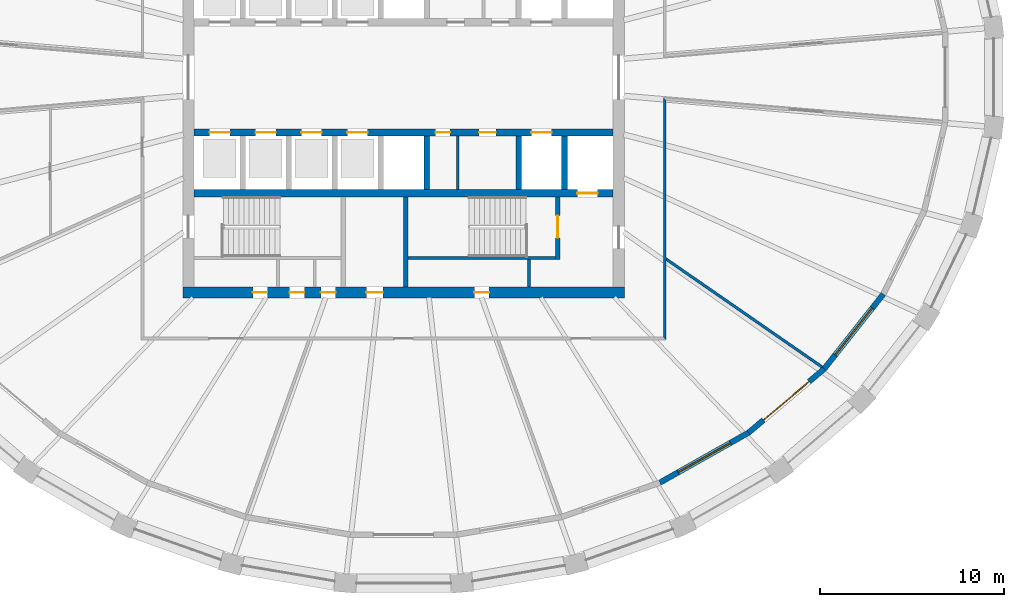
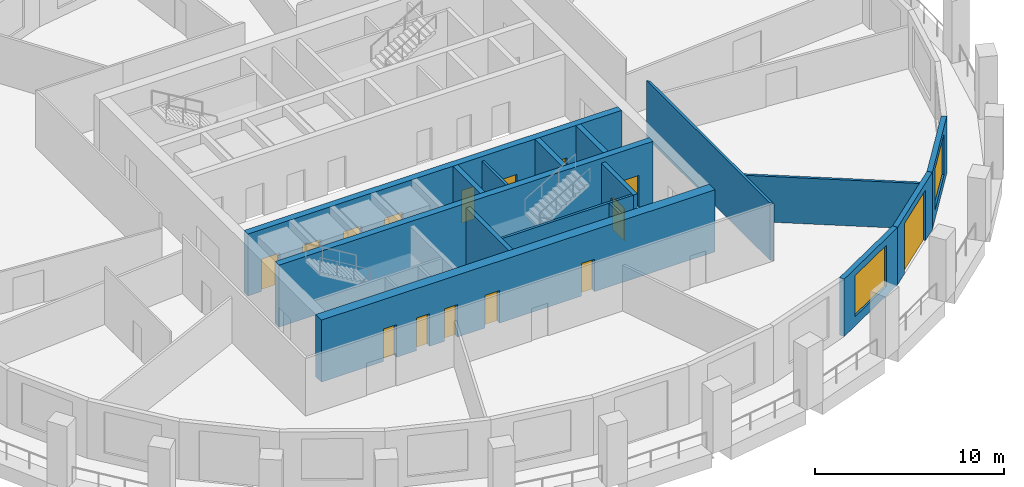
# One storey, part 4 of 10: 16 walls, 15 doors, 2 windows, 17 openings.
"""IFC4 building model written with IfcOpenShell, lengths in metres."""

from ifc_helpers import new_model, si_unit, direction, frame, frame_2d, origin, place, context, subcontext, project, spatial, polyline, rectangle, outline, extrude, material, layer, layer_set, type_object, element, fill, save


model = new_model("IFC4")

# Units and contexts
model_context = context("Model", 3, precision=1e-05, world=origin(), true_north=direction((0.0, 1.0)))
body_context = subcontext(model_context, "Body", "Model", "MODEL_VIEW")
ifc_project = project(units=[si_unit("LENGTHUNIT", "METRE"), si_unit("AREAUNIT", "SQUARE_METRE"), si_unit("VOLUMEUNIT", "CUBIC_METRE"), si_unit("PLANEANGLEUNIT", "RADIAN"), si_unit("MASSUNIT", "GRAM", prefix="KILO")], contexts=[model_context])

# Site, building, storey
site_placement = place(None, origin())
site = spatial("IfcSite", under=ifc_project, at=site_placement, CompositionType="ELEMENT")
building_placement = place(site_placement, origin())
building = spatial("IfcBuilding", under=site, at=building_placement, Name="Halqa Exchange Tower", CompositionType="ELEMENT")
storey_placement = place(building_placement, frame((0.0, 0.0, 202.89990234375)))
storey = spatial("IfcBuildingStorey", under=building, at=storey_placement, Name="L46", CompositionType="ELEMENT", Elevation=202.89990234375)

# Walls
ifc_material_1 = material(Name="Fire-rated gypsum board")
ifc_layer_1 = layer(ifc_material_1, 0.14990234375)
ifc_layer_set_1 = layer_set([ifc_layer_1], Name="Fire-rated gypsum board")
wall_type_1 = type_object("IfcWallType", Name="Fire partition EI 60 150", PredefinedType="PARTITIONING", material=ifc_layer_set_1)
wall_1_placement = place(storey_placement, frame((14.199951171875, -14.27490234375, 0.0), z_axis=(0.0, 0.0, 1.0), x_axis=(0.0, 1.0, 0.0)))
element("IfcWall", 1, at=wall_1_placement, inside=storey, type_object=wall_type_1, Name="L46-PWL-016", PredefinedType="PARTITIONING", context=body_context, shape_type="SweptSolid", body=[
    extrude(outline(polyline([(0.0, -0.074951171875), (1.859130859375, -0.074951171875), (3.71826171875, -0.074951171875), (5.5771484375, -0.074951171875), (7.436279296875, -0.074951171875), (9.29541015625, -0.074951171875), (11.154541015625, -0.074951171875), (13.013427734375, -0.074951171875), (13.176513671875, 0.074951171875), (11.3154296875, 0.074951171875), (9.45458984375, 0.074951171875), (7.593505859375, 0.074951171875), (5.732666015625, 0.074951171875), (3.871826171875, 0.074951171875), (2.0107421875, 0.074951171875), (0.14990234375, 0.074951171875), (0.0, -0.074951171875)])), origin(), (0.0, 0.0, 1.0), 3.7001953125),
])
wall_2_placement = place(storey_placement, frame((14.232421875, -9.8525390625, 0.0), z_axis=(0.0, 0.0, 1.0), x_axis=(0.822298116352, -0.569056946047, 0.0)))
element("IfcWall", 2, at=wall_2_placement, inside=storey, type_object=wall_type_1, Name="L46-PWL-017", PredefinedType="PARTITIONING", context=body_context, shape_type="SweptSolid", body=[
    extrude(outline(polyline([(0.103759765625, -0.074951171875), (1.810791015625, -0.074951171875), (3.517822265625, -0.074951171875), (5.224853515625, -0.074951171875), (6.931884765625, -0.074951171875), (8.638916015625, -0.074951171875), (10.345947265625, -0.074951171875), (10.36572265625, -0.001953125), (10.370361328125, 0.070068359375), (10.370361328125, 0.074951171875), (8.64208984375, 0.074951171875), (6.91357421875, 0.074951171875), (5.18505859375, 0.074951171875), (3.456787109375, 0.074951171875), (1.728515625, 0.074951171875), (0.0, 0.074951171875), (0.0, 0.07470703125), (0.103759765625, -0.074951171875)])), origin(), (0.0, 0.0, 1.0), 2.947021484375),
])
ifc_material_2 = material(Name="Gypsum board")
ifc_layer_2 = layer(ifc_material_2, 0.14990234375)
ifc_layer_set_2 = layer_set([ifc_layer_2], Name="Gypsum board")
wall_type_2 = type_object("IfcWallType", Name="Penthouse riser wall 150 gypsum", PredefinedType="PARTITIONING", material=ifc_layer_set_2)
wall_3_placement = place(storey_placement, frame((6.824951171875, -11.39990234375, 0.0), z_axis=(0.0, 0.0, 1.0), x_axis=(0.0, 1.0, 0.0)))
element("IfcWall", 3, at=wall_3_placement, inside=storey, type_object=wall_type_2, Name="Firefighting lobby west wall S", PredefinedType="PARTITIONING", context=body_context, shape_type="SweptSolid", body=[
    extrude(rectangle(XDim=1.5, YDim=0.14990234375, at=frame_2d((0.75, 0.0))), origin(), (0.0, 0.0, 1.0), 3.7001953125),
])
wall_4_placement = place(storey_placement, frame((2.949951171875, -6.10009765625, 0.0), z_axis=(0.0, 0.0, 1.0), x_axis=(0.0, 1.0, 0.0)))
element("IfcWall", 4, at=wall_4_placement, inside=storey, type_object=wall_type_2, Name="Freed bay partition SE2.950", PredefinedType="PARTITIONING", context=body_context, shape_type="SweptSolid", body=[
    extrude(rectangle(XDim=2.900146484375, YDim=0.14990234375, at=frame_2d((1.4501953125, 0.0))), origin(), (0.0, 0.0, 1.0), 3.7001953125),
])
ifc_material_3 = material(Name="Concrete C60/75", Category="concrete")
ifc_layer_3 = layer(ifc_material_3, 0.300048828125)
ifc_layer_set_3 = layer_set([ifc_layer_3], Name="Concrete C60/75")
wall_type_3 = type_object("IfcWallType", Name="RC core wall 300", PredefinedType="SHEAR", material=ifc_layer_set_3)
for number, where, z_axis, x_axis, name in (
    (5, (1.25, -6.10009765625, 0.0), (0.0, 0.0, 1.0), (0.0, 1.0, 0.0), "Shaft divider S5"),
    (6, (6.25, -6.10009765625, 0.0), (0.0, 0.0, 1.0), (0.0, 1.0, 0.0), "Shaft divider S7"),
    (7, (8.75, -6.10009765625, 0.0), (0.0, 0.0, 1.0), (0.0, 1.0, 0.0), "Shaft divider S8"),
):
    element("IfcWall", number, at=place(storey_placement, frame(where, z_axis=z_axis, x_axis=x_axis)), inside=storey, type_object=wall_type_3, Name=name, PredefinedType="SHEAR", context=body_context, shape_type="SweptSolid", body=[
        extrude(rectangle(XDim=2.900146484375, YDim=0.300048828125, at=frame_2d((1.4501953125, 0.0))), origin(), (0.0, 0.0, 1.0), 4.0),
    ])

# Wall, openings, doors
ifc_material_4 = material(Name="Concrete C70/85", Category="concrete")
ifc_layer_4 = layer(ifc_material_4, 0.39990234375)
ifc_layer_set_4 = layer_set([ifc_layer_4], Name="Concrete C70/85")
wall_type_4 = type_object("IfcWallType", Name="RC core wall 400 C70/85", PredefinedType="SHEAR", material=ifc_layer_set_4)
wall_5_placement = place(storey_placement, frame((-11.39990234375, -3.0, 0.0), z_axis=(0.0, 0.0, 1.0), x_axis=(1.0, 0.0, 0.0)))
wall_5 = element("IfcWall", 8, at=wall_5_placement, inside=storey, type_object=wall_type_4, Name="Lift row front wall S", PredefinedType="SHEAR", context=body_context, shape_type="SweptSolid", body=[
    extrude(rectangle(XDim=22.7998046875, YDim=0.39990234375, at=frame_2d((11.39990234375, 0.0))), origin(), (0.0, 0.0, 1.0), 4.0),
])
opening_1_placement = place(wall_5_placement, frame((0.85009765625, 0.0, 0.0)))
opening_1 = element("IfcOpeningElement", 9, at=opening_1_placement, cuts=wall_5, Name="Opening LD-HR3-T14", PredefinedType="OPENING", context=body_context, shape_type="SweptSolid", body=[
    extrude(rectangle(XDim=1.10009765625, YDim=2.10009765625, at=frame_2d((0.550048828125, 1.050048828125))), frame((0.0, 0.2119140625, 0.0), z_axis=(0.0, -1.0, 0.0), x_axis=(1.0, 0.0, 0.0)), (0.0, 0.0, 1.0), 0.423828125),
])
opening_2_placement = place(wall_5_placement, frame((3.35009765625, 0.0, 0.0)))
opening_2 = element("IfcOpeningElement", 10, at=opening_2_placement, cuts=wall_5, Name="Opening LD-HR4-T14", PredefinedType="OPENING", context=body_context, shape_type="SweptSolid", body=[
    extrude(rectangle(XDim=1.10009765625, YDim=2.10009765625, at=frame_2d((0.550048828125, 1.050048828125))), frame((0.0, 0.2119140625, 0.0), z_axis=(0.0, -1.0, 0.0), x_axis=(1.0, 0.0, 0.0)), (0.0, 0.0, 1.0), 0.423828125),
])
opening_3_placement = place(wall_5_placement, frame((5.85009765625, 0.0, 0.0)))
opening_3 = element("IfcOpeningElement", 11, at=opening_3_placement, cuts=wall_5, Name="Opening LD-MR3-T14", PredefinedType="OPENING", context=body_context, shape_type="SweptSolid", body=[
    extrude(rectangle(XDim=1.10009765625, YDim=2.10009765625, at=frame_2d((0.550048828125, 1.050048828125))), frame((0.0, 0.2119140625, 0.0), z_axis=(0.0, -1.0, 0.0), x_axis=(1.0, 0.0, 0.0)), (0.0, 0.0, 1.0), 0.423828125),
])
opening_4_placement = place(wall_5_placement, frame((8.35009765625, 0.0, 0.0)))
opening_4 = element("IfcOpeningElement", 12, at=opening_4_placement, cuts=wall_5, Name="Opening LD-MR4-T14", PredefinedType="OPENING", context=body_context, shape_type="SweptSolid", body=[
    extrude(rectangle(XDim=1.10009765625, YDim=2.10009765625, at=frame_2d((0.550048828125, 1.050048828125))), frame((0.0, 0.2119140625, 0.0), z_axis=(0.0, -1.0, 0.0), x_axis=(1.0, 0.0, 0.0)), (0.0, 0.0, 1.0), 0.423828125),
])
opening_5_placement = place(wall_5_placement, frame((18.35009765625, 0.0, 0.0)))
opening_5 = element("IfcOpeningElement", 13, at=opening_5_placement, cuts=wall_5, Name="Opening LD-SV2-T14", PredefinedType="OPENING", context=body_context, shape_type="SweptSolid", body=[
    extrude(rectangle(XDim=1.10009765625, YDim=2.10009765625, at=frame_2d((0.550048828125, 1.050048828125))), frame((0.0, 0.2119140625, 0.0), z_axis=(0.0, -1.0, 0.0), x_axis=(1.0, 0.0, 0.0)), (0.0, 0.0, 1.0), 0.423828125),
])
opening_6_placement = place(wall_5_placement, frame((13.137451171875, 0.0, 0.0)))
opening_6 = element("IfcOpeningElement", 14, at=opening_6_placement, cuts=wall_5, Name="Opening T14-C33", PredefinedType="OPENING", context=body_context, shape_type="SweptSolid", body=[
    extrude(rectangle(XDim=0.800048828125, YDim=2.10009765625, at=frame_2d((0.39990234375, 1.050048828125))), frame((0.0, 0.2119140625, 0.0), z_axis=(0.0, -1.0, 0.0), x_axis=(1.0, 0.0, 0.0)), (0.0, 0.0, 1.0), 0.423828125),
])
opening_7_placement = place(wall_5_placement, frame((15.512451171875, 0.0, 0.0)))
opening_7 = element("IfcOpeningElement", 15, at=opening_7_placement, cuts=wall_5, Name="Opening T14-C34", PredefinedType="OPENING", context=body_context, shape_type="SweptSolid", body=[
    extrude(rectangle(XDim=0.89990234375, YDim=2.10009765625, at=frame_2d((0.449951171875, 1.050048828125))), frame((0.0, 0.2119140625, 0.0), z_axis=(0.0, -1.0, 0.0), x_axis=(1.0, 0.0, 0.0)), (0.0, 0.0, 1.0), 0.423828125),
])
ifc_material_5 = material(Name="Timber fire door leaf", Category="wood")
door_type_1 = type_object("IfcDoorType", Name="Core room door FD30 900 x 2100", OperationType="SINGLE_SWING_LEFT", PredefinedType="DOOR", material=ifc_material_5)
door_1_placement = place(opening_7_placement, frame((0.89990234375, 0.0, 0.0), z_axis=(0.0, 0.0, 1.0), x_axis=(-1.0, 0.0, 0.0)))
door_1 = element("IfcDoor", 16, at=door_1_placement, inside=storey, type_object=door_type_1, Name="Core room door", OperationType="SINGLE_SWING_RIGHT", OverallHeight=2.10009765625, OverallWidth=0.89990234375, PredefinedType="DOOR", context=body_context, shape_type="SweptSolid", body=[
    extrude(rectangle(XDim=0.89990234375, YDim=2.10009765625, at=frame_2d((0.449951171875, 1.050048828125))), frame((0.0, 0.02490234375, 0.0), z_axis=(0.0, -1.0, 0.0), x_axis=(1.0, 0.0, 0.0)), (0.0, 0.0, 1.0), 0.050048828125),
])
fill(opening_7, door_1)
ifc_material_6 = material(Name="Stainless steel", Category="steel")
door_type_2 = type_object("IfcDoorType", Name="Lift landing door 1100 x 2100", OperationType="SLIDING_TO_LEFT", PredefinedType="DOOR", material=ifc_material_6)
door_2_placement = place(opening_1_placement, origin())
door_2 = element("IfcDoor", 17, at=door_2_placement, inside=storey, type_object=door_type_2, Name="Lift landing door HR3", OperationType="SLIDING_TO_LEFT", OverallHeight=2.10009765625, OverallWidth=1.10009765625, PredefinedType="DOOR", context=body_context, shape_type="SweptSolid", body=[
    extrude(rectangle(XDim=1.10009765625, YDim=2.10009765625, at=frame_2d((0.550048828125, 1.050048828125))), frame((0.0, 0.02490234375, 0.0), z_axis=(0.0, -1.0, 0.0), x_axis=(1.0, 0.0, 0.0)), (0.0, 0.0, 1.0), 0.050048828125),
])
fill(opening_1, door_2)
door_3_placement = place(opening_2_placement, origin())
door_3 = element("IfcDoor", 18, at=door_3_placement, inside=storey, type_object=door_type_2, Name="Lift landing door HR4", OperationType="SLIDING_TO_LEFT", OverallHeight=2.10009765625, OverallWidth=1.10009765625, PredefinedType="DOOR", context=body_context, shape_type="SweptSolid", body=[
    extrude(rectangle(XDim=1.10009765625, YDim=2.10009765625, at=frame_2d((0.550048828125, 1.050048828125))), frame((0.0, 0.02490234375, 0.0), z_axis=(0.0, -1.0, 0.0), x_axis=(1.0, 0.0, 0.0)), (0.0, 0.0, 1.0), 0.050048828125),
])
fill(opening_2, door_3)
door_4_placement = place(opening_3_placement, origin())
door_4 = element("IfcDoor", 19, at=door_4_placement, inside=storey, type_object=door_type_2, Name="Lift landing door MR3", OperationType="SLIDING_TO_LEFT", OverallHeight=2.10009765625, OverallWidth=1.10009765625, PredefinedType="DOOR", context=body_context, shape_type="SweptSolid", body=[
    extrude(rectangle(XDim=1.10009765625, YDim=2.10009765625, at=frame_2d((0.550048828125, 1.050048828125))), frame((0.0, 0.02490234375, 0.0), z_axis=(0.0, -1.0, 0.0), x_axis=(1.0, 0.0, 0.0)), (0.0, 0.0, 1.0), 0.050048828125),
])
fill(opening_3, door_4)
door_5_placement = place(opening_4_placement, origin())
door_5 = element("IfcDoor", 20, at=door_5_placement, inside=storey, type_object=door_type_2, Name="Lift landing door MR4", OperationType="SLIDING_TO_LEFT", OverallHeight=2.10009765625, OverallWidth=1.10009765625, PredefinedType="DOOR", context=body_context, shape_type="SweptSolid", body=[
    extrude(rectangle(XDim=1.10009765625, YDim=2.10009765625, at=frame_2d((0.550048828125, 1.050048828125))), frame((0.0, 0.02490234375, 0.0), z_axis=(0.0, -1.0, 0.0), x_axis=(1.0, 0.0, 0.0)), (0.0, 0.0, 1.0), 0.050048828125),
])
fill(opening_4, door_5)
door_6_placement = place(opening_5_placement, origin())
door_6 = element("IfcDoor", 21, at=door_6_placement, inside=storey, type_object=door_type_2, Name="Lift landing door SV2", OperationType="SLIDING_TO_LEFT", OverallHeight=2.10009765625, OverallWidth=1.10009765625, PredefinedType="DOOR", context=body_context, shape_type="SweptSolid", body=[
    extrude(rectangle(XDim=1.10009765625, YDim=2.10009765625, at=frame_2d((0.550048828125, 1.050048828125))), frame((0.0, 0.02490234375, 0.0), z_axis=(0.0, -1.0, 0.0), x_axis=(1.0, 0.0, 0.0)), (0.0, 0.0, 1.0), 0.050048828125),
])
fill(opening_5, door_6)
ifc_material_7 = material(Name="Steel fire door leaf", Category="steel")
door_type_3 = type_object("IfcDoorType", Name="Riser door FD60 800 x 2100", OperationType="SINGLE_SWING_LEFT", PredefinedType="DOOR", material=ifc_material_7)
door_7_placement = place(opening_6_placement, frame((0.800048828125, 0.0, 0.0), z_axis=(0.0, 0.0, 1.0), x_axis=(-1.0, 0.0, 0.0)))
door_7 = element("IfcDoor", 22, at=door_7_placement, inside=storey, type_object=door_type_3, Name="Core room door", OperationType="SINGLE_SWING_LEFT", OverallHeight=2.10009765625, OverallWidth=0.800048828125, PredefinedType="DOOR", context=body_context, shape_type="SweptSolid", body=[
    extrude(rectangle(XDim=0.800048828125, YDim=2.10009765625, at=frame_2d((0.39990234375, 1.050048828125))), frame((0.0, 0.02490234375, 0.0), z_axis=(0.0, -1.0, 0.0), x_axis=(1.0, 0.0, 0.0)), (0.0, 0.0, 1.0), 0.050048828125),
])
fill(opening_6, door_7)

# Wall, opening, door
wall_6_placement = place(storey_placement, frame((-11.39990234375, -6.300048828125, 0.0), z_axis=(0.0, 0.0, 1.0), x_axis=(1.0, 0.0, 0.0)))
wall_6 = element("IfcWall", 23, at=wall_6_placement, inside=storey, type_object=wall_type_4, Name="Lift row back wall S", PredefinedType="SHEAR", context=body_context, shape_type="SweptSolid", body=[
    extrude(rectangle(XDim=22.7998046875, YDim=0.39990234375, at=frame_2d((11.39990234375, 0.0))), origin(), (0.0, 0.0, 1.0), 4.0),
])
opening_8_placement = place(wall_6_placement, frame((20.85009765625, 0.0, 0.0)))
opening_8 = element("IfcOpeningElement", 24, at=opening_8_placement, cuts=wall_6, Name="Opening LD-FF2-T14", PredefinedType="OPENING", context=body_context, shape_type="SweptSolid", body=[
    extrude(rectangle(XDim=1.10009765625, YDim=2.10009765625, at=frame_2d((0.550048828125, 1.050048828125))), frame((0.0, 0.2119140625, 0.0), z_axis=(0.0, -1.0, 0.0), x_axis=(1.0, 0.0, 0.0)), (0.0, 0.0, 1.0), 0.423828125),
])
door_8_placement = place(opening_8_placement, origin())
door_8 = element("IfcDoor", 25, at=door_8_placement, inside=storey, type_object=door_type_2, Name="Lift landing door FF2", OperationType="SLIDING_TO_LEFT", OverallHeight=2.10009765625, OverallWidth=1.10009765625, PredefinedType="DOOR", context=body_context, shape_type="SweptSolid", body=[
    extrude(rectangle(XDim=1.10009765625, YDim=2.10009765625, at=frame_2d((0.550048828125, 1.050048828125))), frame((0.0, 0.02490234375, 0.0), z_axis=(0.0, -1.0, 0.0), x_axis=(1.0, 0.0, 0.0)), (0.0, 0.0, 1.0), 0.050048828125),
])
fill(opening_8, door_8)

# Wall, openings, doors
ifc_layer_5 = layer(ifc_material_4, 0.60009765625)
ifc_layer_set_5 = layer_set([ifc_layer_5], Name="Concrete C70/85")
wall_type_5 = type_object("IfcWallType", Name="RC core wall 600 C70/85", PredefinedType="SHEAR", material=ifc_layer_set_5)
wall_7_placement = place(storey_placement, frame((-12.0, -11.699951171875, 0.0), z_axis=(0.0, 0.0, 1.0), x_axis=(1.0, 0.0, 0.0)))
wall_7 = element("IfcWall", 26, at=wall_7_placement, inside=storey, type_object=wall_type_5, Name="Core wall south", PredefinedType="SHEAR", context=body_context, shape_type="SweptSolid", body=[
    extrude(rectangle(XDim=24.0, YDim=0.60009765625, at=frame_2d((12.0, 0.0))), origin(), (0.0, 0.0, 1.0), 4.0),
])
opening_9_placement = place(wall_7_placement, frame((9.97509765625, 0.0, 0.0)))
opening_9 = element("IfcOpeningElement", 27, at=opening_9_placement, cuts=wall_7, Name="Opening T14-C26", PredefinedType="OPENING", context=body_context, shape_type="SweptSolid", body=[
    extrude(rectangle(XDim=0.89990234375, YDim=2.10009765625, at=frame_2d((0.449951171875, 1.050048828125))), frame((0.0, 0.31201171875, 0.0), z_axis=(0.0, -1.0, 0.0), x_axis=(1.0, 0.0, 0.0)), (0.0, 0.0, 1.0), 0.6240234375),
])
opening_10_placement = place(wall_7_placement, frame((3.800048828125, 0.0, 0.0)))
opening_10 = element("IfcOpeningElement", 28, at=opening_10_placement, cuts=wall_7, Name="Opening T14-C27", PredefinedType="OPENING", context=body_context, shape_type="SweptSolid", body=[
    extrude(rectangle(XDim=0.800048828125, YDim=2.10009765625, at=frame_2d((0.39990234375, 1.050048828125))), frame((0.0, 0.31201171875, 0.0), z_axis=(0.0, -1.0, 0.0), x_axis=(1.0, 0.0, 0.0)), (0.0, 0.0, 1.0), 0.6240234375),
])
opening_11_placement = place(wall_7_placement, frame((5.800048828125, 0.0, 0.0)))
opening_11 = element("IfcOpeningElement", 29, at=opening_11_placement, cuts=wall_7, Name="Opening T14-C28", PredefinedType="OPENING", context=body_context, shape_type="SweptSolid", body=[
    extrude(rectangle(XDim=0.800048828125, YDim=2.10009765625, at=frame_2d((0.39990234375, 1.050048828125))), frame((0.0, 0.31201171875, 0.0), z_axis=(0.0, -1.0, 0.0), x_axis=(1.0, 0.0, 0.0)), (0.0, 0.0, 1.0), 0.6240234375),
])
opening_12_placement = place(wall_7_placement, frame((7.5, 0.0, 0.0)))
opening_12 = element("IfcOpeningElement", 30, at=opening_12_placement, cuts=wall_7, Name="Opening T14-C29", PredefinedType="OPENING", context=body_context, shape_type="SweptSolid", body=[
    extrude(rectangle(XDim=0.800048828125, YDim=2.10009765625, at=frame_2d((0.39990234375, 1.050048828125))), frame((0.0, 0.31201171875, 0.0), z_axis=(0.0, -1.0, 0.0), x_axis=(1.0, 0.0, 0.0)), (0.0, 0.0, 1.0), 0.6240234375),
])
opening_13_placement = place(wall_7_placement, frame((15.85009765625, 0.0, 0.0)))
opening_13 = element("IfcOpeningElement", 31, at=opening_13_placement, cuts=wall_7, Name="Opening T14-C30", PredefinedType="OPENING", context=body_context, shape_type="SweptSolid", body=[
    extrude(rectangle(XDim=0.800048828125, YDim=2.10009765625, at=frame_2d((0.39990234375, 1.050048828125))), frame((0.0, 0.31201171875, 0.0), z_axis=(0.0, -1.0, 0.0), x_axis=(1.0, 0.0, 0.0)), (0.0, 0.0, 1.0), 0.6240234375),
])
door_9_placement = place(opening_9_placement, origin())
door_9 = element("IfcDoor", 32, at=door_9_placement, inside=storey, type_object=door_type_1, Name="Core room door", OperationType="SINGLE_SWING_RIGHT", OverallHeight=2.10009765625, OverallWidth=0.89990234375, PredefinedType="DOOR", context=body_context, shape_type="SweptSolid", body=[
    extrude(rectangle(XDim=0.89990234375, YDim=2.10009765625, at=frame_2d((0.449951171875, 1.050048828125))), frame((0.0, 0.02490234375, 0.0), z_axis=(0.0, -1.0, 0.0), x_axis=(1.0, 0.0, 0.0)), (0.0, 0.0, 1.0), 0.050048828125),
])
fill(opening_9, door_9)
door_10_placement = place(opening_10_placement, origin())
door_10 = element("IfcDoor", 33, at=door_10_placement, inside=storey, type_object=door_type_3, Name="Core room door", OperationType="SINGLE_SWING_LEFT", OverallHeight=2.10009765625, OverallWidth=0.800048828125, PredefinedType="DOOR", context=body_context, shape_type="SweptSolid", body=[
    extrude(rectangle(XDim=0.800048828125, YDim=2.10009765625, at=frame_2d((0.39990234375, 1.050048828125))), frame((0.0, 0.02490234375, 0.0), z_axis=(0.0, -1.0, 0.0), x_axis=(1.0, 0.0, 0.0)), (0.0, 0.0, 1.0), 0.050048828125),
])
fill(opening_10, door_10)
door_11_placement = place(opening_11_placement, origin())
door_11 = element("IfcDoor", 34, at=door_11_placement, inside=storey, type_object=door_type_3, Name="Core room door", OperationType="SINGLE_SWING_LEFT", OverallHeight=2.10009765625, OverallWidth=0.800048828125, PredefinedType="DOOR", context=body_context, shape_type="SweptSolid", body=[
    extrude(rectangle(XDim=0.800048828125, YDim=2.10009765625, at=frame_2d((0.39990234375, 1.050048828125))), frame((0.0, 0.02490234375, 0.0), z_axis=(0.0, -1.0, 0.0), x_axis=(1.0, 0.0, 0.0)), (0.0, 0.0, 1.0), 0.050048828125),
])
fill(opening_11, door_11)
door_12_placement = place(opening_12_placement, origin())
door_12 = element("IfcDoor", 35, at=door_12_placement, inside=storey, type_object=door_type_3, Name="Core room door", OperationType="SINGLE_SWING_LEFT", OverallHeight=2.10009765625, OverallWidth=0.800048828125, PredefinedType="DOOR", context=body_context, shape_type="SweptSolid", body=[
    extrude(rectangle(XDim=0.800048828125, YDim=2.10009765625, at=frame_2d((0.39990234375, 1.050048828125))), frame((0.0, 0.02490234375, 0.0), z_axis=(0.0, -1.0, 0.0), x_axis=(1.0, 0.0, 0.0)), (0.0, 0.0, 1.0), 0.050048828125),
])
fill(opening_12, door_12)
door_13_placement = place(opening_13_placement, origin())
door_13 = element("IfcDoor", 36, at=door_13_placement, inside=storey, type_object=door_type_3, Name="Core room door", OperationType="SINGLE_SWING_LEFT", OverallHeight=2.10009765625, OverallWidth=0.800048828125, PredefinedType="DOOR", context=body_context, shape_type="SweptSolid", body=[
    extrude(rectangle(XDim=0.800048828125, YDim=2.10009765625, at=frame_2d((0.39990234375, 1.050048828125))), frame((0.0, 0.02490234375, 0.0), z_axis=(0.0, -1.0, 0.0), x_axis=(1.0, 0.0, 0.0)), (0.0, 0.0, 1.0), 0.050048828125),
])
fill(opening_13, door_13)

# Walls
ifc_material_8 = material(Name="Concrete C30/37", Category="concrete")
ifc_layer_6 = layer(ifc_material_8, 0.14990234375)
ifc_layer_set_6 = layer_set([ifc_layer_6], Name="Concrete C30/37")
wall_type_6 = type_object("IfcWallType", Name="RC stair wall 150 C30/37", PredefinedType="SHEAR", material=ifc_layer_set_6)
wall_8_placement = place(storey_placement, frame((0.25, -9.824951171875, 0.0), z_axis=(0.0, 0.0, 1.0), x_axis=(1.0, 0.0, 0.0)))
element("IfcWall", 37, at=wall_8_placement, inside=storey, type_object=wall_type_6, Name="Stair ST2 north wall S", PredefinedType="SHEAR", context=body_context, shape_type="SweptSolid", body=[
    extrude(rectangle(XDim=8.0, YDim=0.14990234375, at=frame_2d((4.0, 0.0))), origin(), (0.0, 0.0, 1.0), 3.7001953125),
])
ifc_layer_7 = layer(ifc_material_8, 0.25)
ifc_layer_set_7 = layer_set([ifc_layer_7], Name="Concrete C30/37")
wall_type_7 = type_object("IfcWallType", Name="RC stair wall 250 C30/37", PredefinedType="SHEAR", material=ifc_layer_set_7)
wall_9_placement = place(storey_placement, frame((0.125, -11.39990234375, 0.0), z_axis=(0.0, 0.0, 1.0), x_axis=(0.0, 1.0, 0.0)))
element("IfcWall", 38, at=wall_9_placement, inside=storey, type_object=wall_type_7, Name="Stair ST2 west wall S", PredefinedType="SHEAR", context=body_context, shape_type="SweptSolid", body=[
    extrude(rectangle(XDim=4.89990234375, YDim=0.25, at=frame_2d((2.449951171875, 0.0))), origin(), (0.0, 0.0, 1.0), 3.7001953125),
])

# Wall, opening, door
wall_10_placement = place(storey_placement, frame((8.375, -9.89990234375, 0.0), z_axis=(0.0, 0.0, 1.0), x_axis=(0.0, 1.0, 0.0)))
wall_10 = element("IfcWall", 39, at=wall_10_placement, inside=storey, type_object=wall_type_7, Name="Stair ST2 east wall S", PredefinedType="SHEAR", context=body_context, shape_type="SweptSolid", body=[
    extrude(rectangle(XDim=3.39990234375, YDim=0.25, at=frame_2d((1.699951171875, 0.0))), origin(), (0.0, 0.0, 1.0), 3.7001953125),
])
opening_14_placement = place(wall_10_placement, frame((1.175048828125, 0.0, 0.0)))
opening_14 = element("IfcOpeningElement", 40, at=opening_14_placement, cuts=wall_10, Name="Opening T14-C18", PredefinedType="OPENING", context=body_context, shape_type="SweptSolid", body=[
    extrude(rectangle(XDim=1.199951171875, YDim=2.10009765625, at=frame_2d((0.60009765625, 1.050048828125))), frame((0.0, 0.136962890625, 0.0), z_axis=(0.0, -1.0, 0.0), x_axis=(1.0, 0.0, 0.0)), (0.0, 0.0, 1.0), 0.27392578125),
])
door_type_4 = type_object("IfcDoorType", Name="Stair door FD90 1200 x 2100", OperationType="SINGLE_SWING_LEFT", PredefinedType="DOOR", material=ifc_material_7)
door_14_placement = place(opening_14_placement, origin())
door_14 = element("IfcDoor", 41, at=door_14_placement, inside=storey, type_object=door_type_4, Name="Stair door ST4", OperationType="SINGLE_SWING_RIGHT", OverallHeight=2.10009765625, OverallWidth=1.199951171875, PredefinedType="DOOR", context=body_context, shape_type="SweptSolid", body=[
    extrude(rectangle(XDim=1.199951171875, YDim=2.10009765625, at=frame_2d((0.60009765625, 1.050048828125))), frame((0.0, 0.02490234375, 0.0), z_axis=(0.0, -1.0, 0.0), x_axis=(1.0, 0.0, 0.0)), (0.0, 0.0, 1.0), 0.050048828125),
])
fill(opening_14, door_14)

# Wall, opening, window
ifc_material_9 = material(Name="Limestone cladding", Category="masonry")
ifc_layer_8 = layer(ifc_material_9, 0.0400390625)
ifc_material_10 = material(Name="Ventilated cavity")
ifc_layer_9 = layer(ifc_material_10, 0.030029296875, ventilated=True)
ifc_material_11 = material(Name="Mineral wool insulation")
ifc_layer_10 = layer(ifc_material_11, 0.10009765625)
ifc_layer_11 = layer(ifc_material_8, 0.10009765625)
ifc_material_12 = material(Name="Internal plaster")
ifc_layer_12 = layer(ifc_material_12, 0.030029296875)
ifc_layer_set_8 = layer_set([ifc_layer_8, ifc_layer_9, ifc_layer_10, ifc_layer_11, ifc_layer_12], Name="Stone-faced insulated wall 300")
wall_type_8 = type_object("IfcWallType", Name="Stone-faced insulated wall 300", PredefinedType="STANDARD", material=ifc_layer_set_8)
wall_11_placement = place(storey_placement, frame((13.9384765625, -22.03662109375, 0.0), z_axis=(0.0, 0.0, 1.0), x_axis=(0.871140546168, 0.491033755278, 0.0)))
wall_11 = element("IfcWall", 42, at=wall_11_placement, inside=storey, type_object=wall_type_8, Name="Glass-line wall 27", PredefinedType="STANDARD", context=body_context, shape_type="SweptSolid", body=[
    extrude(outline(polyline([(-0.013427734375, -0.14990234375), (5.549560546875, -0.14990234375), (5.521240234375, 0.14990234375), (0.013427734375, 0.14990234375), (-0.013427734375, -0.14990234375)])), origin(), (0.0, 0.0, 1.0), 3.7001953125),
])
opening_15_placement = place(wall_11_placement, frame((1.142578125, 0.0, 0.60009765625)))
opening_15 = element("IfcOpeningElement", 43, at=opening_15_placement, cuts=wall_11, Name="Opening W-F3-27", PredefinedType="OPENING", context=body_context, shape_type="SweptSolid", body=[
    extrude(rectangle(XDim=3.25, YDim=2.64990234375, at=frame_2d((1.625, 1.324951171875))), frame((0.0, 0.162109375, 0.0), z_axis=(0.0, -1.0, 0.0), x_axis=(1.0, 0.0, 0.0)), (0.0, 0.0, 1.0), 0.323974609375),
])
ifc_material_13 = material(Name="Clear low-emissivity glass in aluminium frame", Category="aluminium")
window_type = type_object("IfcWindowType", Name="Fixed clear glazed window 3250 x 2650", PartitioningType="TRIPLE_PANEL_VERTICAL", PredefinedType="WINDOW", material=ifc_material_13)
window_1_placement = place(opening_15_placement, origin())
window_1 = element("IfcWindow", 44, at=window_1_placement, inside=storey, type_object=window_type, Name="Window 3", OverallHeight=2.64990234375, OverallWidth=3.25, PartitioningType="TRIPLE_PANEL_VERTICAL", PredefinedType="WINDOW", context=body_context, shape_type="SweptSolid", body=[
    extrude(rectangle(XDim=3.25, YDim=2.64990234375, at=frame_2d((1.625, 1.324951171875))), frame((0.0, 0.030029296875, 0.0), z_axis=(0.0, -1.0, 0.0), x_axis=(1.0, 0.0, 0.0)), (0.0, 0.0, 1.0), 0.06005859375),
])
fill(opening_15, window_1)

# Wall, opening, door
wall_12_placement = place(storey_placement, frame((18.760498046875, -19.318603515625, 0.0), z_axis=(0.0, 0.0, 1.0), x_axis=(0.764386053229, 0.6447588399, 0.0)))
wall_12 = element("IfcWall", 45, at=wall_12_placement, inside=storey, type_object=wall_type_8, Name="Glass-line wall 28", PredefinedType="STANDARD", context=body_context, shape_type="SweptSolid", body=[
    extrude(outline(polyline([(-0.01416015625, -0.14990234375), (5.382568359375, -0.14990234375), (5.352294921875, 0.14990234375), (0.01416015625, 0.14990234375), (-0.01416015625, -0.14990234375)])), origin(), (0.0, 0.0, 1.0), 3.7001953125),
])
opening_16_placement = place(wall_12_placement, frame((1.058837890625, 0.0, 0.0)))
opening_16 = element("IfcOpeningElement", 46, at=opening_16_placement, cuts=wall_12, Name="Opening LG-F3-07", PredefinedType="OPENING", context=body_context, shape_type="SweptSolid", body=[
    extrude(rectangle(XDim=3.25, YDim=3.25, at=frame_2d((1.625, 1.625))), frame((0.0, 0.162109375, 0.0), z_axis=(0.0, -1.0, 0.0), x_axis=(1.0, 0.0, 0.0)), (0.0, 0.0, 1.0), 0.323974609375),
])
door_type_5 = type_object("IfcDoorType", Name="Glazed sliding loggia door 3250 x 3250", OperationType="DOUBLE_DOOR_SLIDING", PredefinedType="DOOR", material=ifc_material_13)
door_15_placement = place(opening_16_placement, origin())
door_15 = element("IfcDoor", 47, at=door_15_placement, inside=storey, type_object=door_type_5, Name="Loggia door 7", OperationType="DOUBLE_DOOR_SLIDING", OverallHeight=3.25, OverallWidth=3.25, PredefinedType="DOOR", context=body_context, shape_type="SweptSolid", body=[
    extrude(rectangle(XDim=3.25, YDim=3.25, at=frame_2d((1.625, 1.625))), frame((0.0, 0.02490234375, 0.0), z_axis=(0.0, -1.0, 0.0), x_axis=(1.0, 0.0, 0.0)), (0.0, 0.0, 1.0), 0.050048828125),
])
fill(opening_16, door_15)

# Wall, opening, window
wall_13_placement = place(storey_placement, frame((22.86328125, -15.85791015625, 0.0), z_axis=(0.0, 0.0, 1.0), x_axis=(0.620870264345, 0.783913333763, 0.0)))
wall_13 = element("IfcWall", 48, at=wall_13_placement, inside=storey, type_object=wall_type_8, Name="Glass-line wall 29", PredefinedType="STANDARD", context=body_context, shape_type="SweptSolid", body=[
    extrude(outline(polyline([(-0.01513671875, -0.14990234375), (5.210693359375, -0.14990234375), (5.178466796875, 0.14990234375), (0.01513671875, 0.14990234375), (-0.01513671875, -0.14990234375)])), origin(), (0.0, 0.0, 1.0), 3.7001953125),
])
opening_17_placement = place(wall_13_placement, frame((0.97216796875, 0.0, 0.60009765625)))
opening_17 = element("IfcOpeningElement", 49, at=opening_17_placement, cuts=wall_13, Name="Opening W-F3-29", PredefinedType="OPENING", context=body_context, shape_type="SweptSolid", body=[
    extrude(rectangle(XDim=3.25, YDim=2.64990234375, at=frame_2d((1.625, 1.324951171875))), frame((0.0, 0.162109375, 0.0), z_axis=(0.0, -1.0, 0.0), x_axis=(1.0, 0.0, 0.0)), (0.0, 0.0, 1.0), 0.323974609375),
])
window_2_placement = place(opening_17_placement, origin())
window_2 = element("IfcWindow", 50, at=window_2_placement, inside=storey, type_object=window_type, Name="Window 3", OverallHeight=2.64990234375, OverallWidth=3.25, PartitioningType="TRIPLE_PANEL_VERTICAL", PredefinedType="WINDOW", context=body_context, shape_type="SweptSolid", body=[
    extrude(rectangle(XDim=3.25, YDim=2.64990234375, at=frame_2d((1.625, 1.324951171875))), frame((0.0, 0.030029296875, 0.0), z_axis=(0.0, -1.0, 0.0), x_axis=(1.0, 0.0, 0.0)), (0.0, 0.0, 1.0), 0.06005859375),
])
fill(opening_17, window_2)

save(model, "model.ifc")
